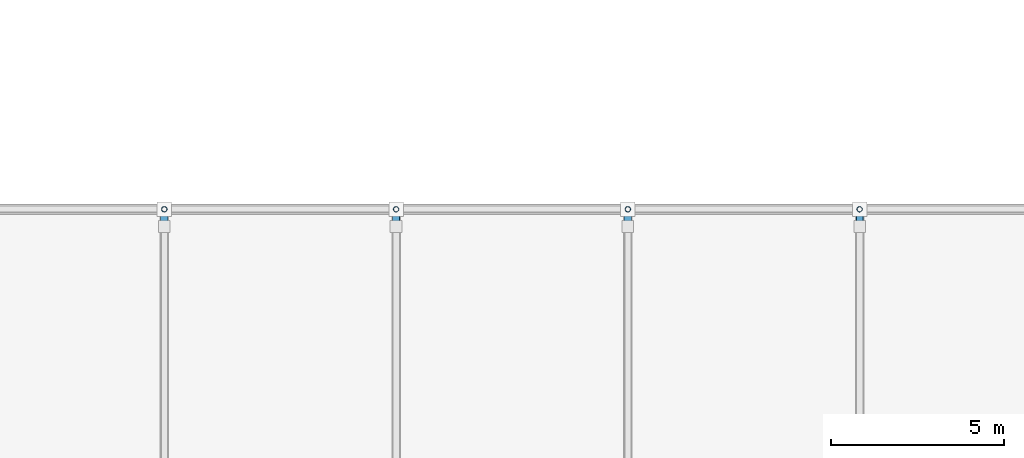
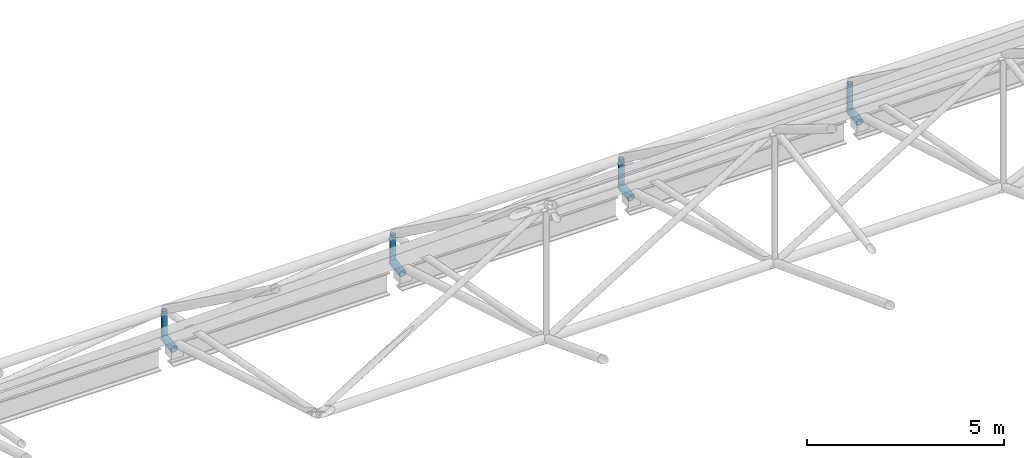
# One storey, part 50 of 77: 8 members.
"""IFC4 building model written with IfcOpenShell, lengths in metres."""

from ifc_helpers import new_model, si_unit, direction, frame, origin, origin_2d, place, context, subcontext, project, spatial, hollow_circle, extrude, material, material_profile, profile_set, type_object, element, save


model = new_model("IFC4")

# Units and contexts
model_context = context("Model", 3, precision=1e-05, world=origin(), true_north=direction((0.0, 1.0)))
body_context = subcontext(model_context, "Body", "Model", "MODEL_VIEW")
ifc_project = project(units=[si_unit("LENGTHUNIT", "METRE"), si_unit("AREAUNIT", "SQUARE_METRE"), si_unit("VOLUMEUNIT", "CUBIC_METRE"), si_unit("PLANEANGLEUNIT", "RADIAN"), si_unit("MASSUNIT", "GRAM", prefix="KILO")], contexts=[model_context])

# Site, building, storey
site_placement = place(None, origin())
site = spatial("IfcSite", under=ifc_project, at=site_placement, CompositionType="ELEMENT")
building_placement = place(site_placement, origin())
building = spatial("IfcBuilding", under=site, at=building_placement, Name="Nabrawat Pavilion Hospital", CompositionType="ELEMENT")
storey_placement = place(building_placement, frame((0.0, 0.0, 14.85009765625)))
storey = spatial("IfcBuildingStorey", under=building, at=storey_placement, Name="L03", CompositionType="ELEMENT", Elevation=14.85009765625)

# Members
ifc_material = material(Name="Steel S355", Category="steel")
ifc_material_profile_1 = material_profile(ifc_material, hollow_circle(Radius=0.109619140625, WallThickness=0.012451171875, at=origin_2d()), Name="CHS 219.1x12.5")
ifc_profile_set_1 = profile_set([ifc_material_profile_1], Name="Steel S355")
member_type_1 = type_object("IfcMemberType", Name="Space Frame Overhanging Eave Strut CHS 219.1x12.5", PredefinedType="STRUT", material=ifc_profile_set_1)
for number, where, z_axis, x_axis, name in (
    (1, (92.4599609375, 39.0, -0.050048828125), (0.0, -0.990323146751, -0.138780636288), (1.0, 0.0, 0.0), "Space Frame Overhanging Eave Strut North 0275"),
    (2, (99.16796875, 39.0, -0.050048828125), (0.0, -0.990323146751, -0.138780636288), (1.0, 0.0, 0.0), "Space Frame Overhanging Eave Strut North 0277"),
    (3, (105.8759765625, 39.0, -0.050048828125), (0.0, -0.990323146751, -0.138780636288), (1.0, 0.0, 0.0), "Space Frame Overhanging Eave Strut North 0279"),
    (4, (112.583984375, 39.0, -0.050048828125), (0.0, -0.990323146751, -0.138780636288), (1.0, 0.0, 0.0), "Space Frame Overhanging Eave Strut North 0281"),
):
    element("IfcMember", number, at=place(storey_placement, frame(where, z_axis=z_axis, x_axis=x_axis)), inside=storey, type_object=member_type_1, Name=name, PredefinedType="STRUT", context=body_context, shape_type="SweptSolid", body=[
        extrude(hollow_circle(Radius=0.109619140625, WallThickness=0.012451171875, at=origin_2d()), origin(), (0.0, 0.0, 1.0), 0.5048828125),
    ])
ifc_material_profile_2 = material_profile(ifc_material, hollow_circle(Radius=0.07958984375, WallThickness=0.008056640625, at=origin_2d()), Name="CHS 159x8")
ifc_profile_set_2 = profile_set([ifc_material_profile_2], Name="Steel S355")
member_type_2 = type_object("IfcMemberType", Name="Space Frame Vertical Web Post CHS 159x8", PredefinedType="BRACE", material=ifc_profile_set_2)
for number, where, z_axis, x_axis, name in (
    (5, (92.4599609375, 39.0, -0.050048828125), (0.0, 0.0, 1.0), (1.0, 0.0, 0.0), "Space Frame Diagonal Post 0149"),
    (6, (99.16796875, 39.0, -0.050048828125), (0.0, 0.0, 1.0), (1.0, 0.0, 0.0), "Space Frame Diagonal Post 0174"),
    (7, (105.8759765625, 39.0, -0.050048828125), (0.0, 0.0, 1.0), (1.0, 0.0, 0.0), "Space Frame Diagonal Post 0199"),
    (8, (112.583984375, 39.0, -0.050048828125), (0.0, 0.0, 1.0), (1.0, 0.0, 0.0), "Space Frame Diagonal Post 0224"),
):
    element("IfcMember", number, at=place(storey_placement, frame(where, z_axis=z_axis, x_axis=x_axis)), inside=storey, type_object=member_type_2, Name=name, PredefinedType="BRACE", context=body_context, shape_type="SweptSolid", body=[
        extrude(hollow_circle(Radius=0.07958984375, WallThickness=0.008056640625, at=origin_2d()), origin(), (0.0, 0.0, 1.0), 0.849853515625),
    ])

save(model, "model.ifc")
